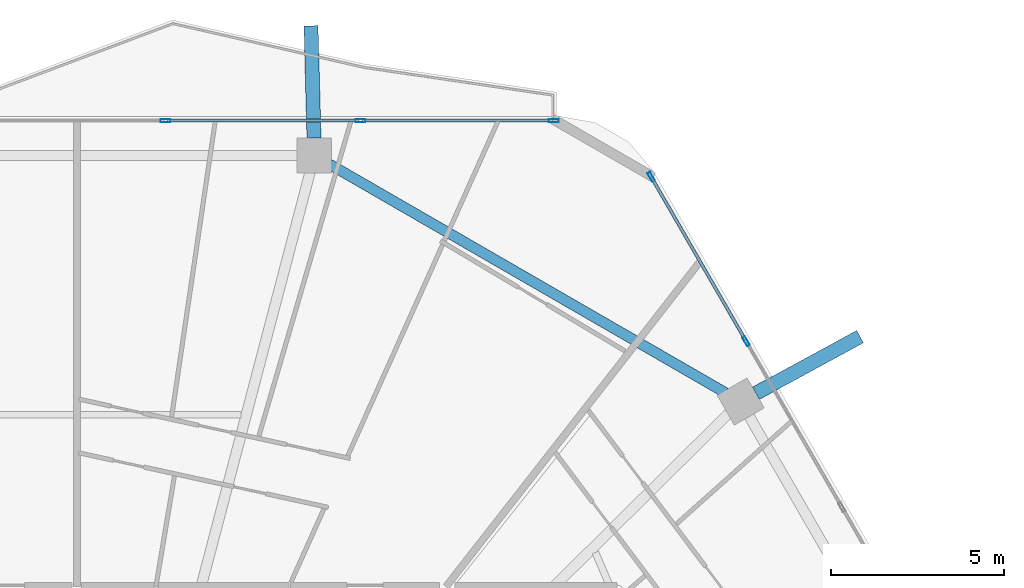
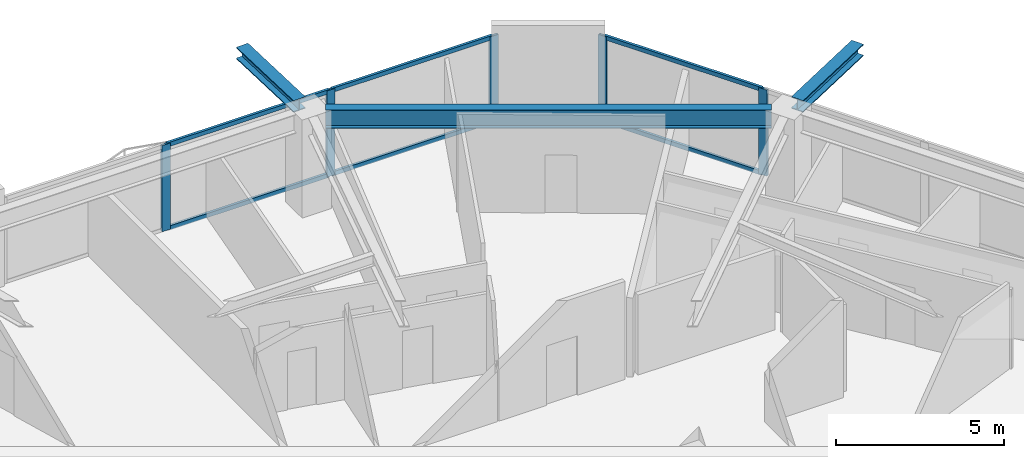
# One storey, part 15 of 25: 11 members, 3 beams, 2 elements without a shape of their own.
"""IFC4 building model written with IfcOpenShell, lengths in metres."""

from ifc_helpers import new_model, si_unit, direction, frame, origin, origin_2d, place, context, subcontext, project, spatial, hollow_rectangle, i_section, extrude, material, material_profile, profile_set, type_object, element, aggregate, save


model = new_model("IFC4")

# Units and contexts
model_context = context("Model", 3, precision=1e-05, world=origin(), true_north=direction((0.0, 1.0)))
body_context = subcontext(model_context, "Body", "Model", "MODEL_VIEW")
ifc_project = project(units=[si_unit("LENGTHUNIT", "METRE"), si_unit("AREAUNIT", "SQUARE_METRE"), si_unit("VOLUMEUNIT", "CUBIC_METRE"), si_unit("PLANEANGLEUNIT", "RADIAN"), si_unit("MASSUNIT", "GRAM", prefix="KILO")], contexts=[model_context])

# Site, building, storey
site_placement = place(None, origin())
site = spatial("IfcSite", under=ifc_project, at=site_placement, CompositionType="ELEMENT")
building_placement = place(site_placement, origin())
building = spatial("IfcBuilding", under=site, at=building_placement, Name="Zuhravey Tower", CompositionType="ELEMENT")
storey_placement = place(building_placement, frame((0.0, 0.0, 150.39990234375)))
storey = spatial("IfcBuildingStorey", under=building, at=storey_placement, Name="L37", CompositionType="ELEMENT", Elevation=150.39990234375)

# Curtain wall, members
ifc_material_1 = material(Name="Thermally broken anodised aluminium", Category="aluminium")
curtain_wall_type = type_object("IfcCurtainWallType", Name="Zone 1-2 Residential Curtain Wall CW3", PredefinedType="NOTDEFINED", material=ifc_material_1)
curtain_wall_1_placement = place(storey_placement, origin())
curtain_wall_1 = element("IfcCurtainWall", 1, at=curtain_wall_1_placement, inside=storey, type_object=curtain_wall_type, Name="L37 CW3 CW-L37-F2-2", PredefinedType="NOTDEFINED")
ifc_material_2 = material(Name="Anodised aluminium", Category="aluminium")
ifc_material_profile_1 = material_profile(ifc_material_2, hollow_rectangle(XDim=0.090087890625, YDim=0.284912109375, WallThickness=0.0048828125, at=origin_2d()), Name="ALU-RHS-90x285x5")
ifc_profile_set_1 = profile_set([ifc_material_profile_1], Name="Anodised aluminium")
member_type_1 = type_object("IfcMemberType", Name="Curtain-Wall Mullion 90x180", PredefinedType="MULLION", material=ifc_profile_set_1)
member_1_placement = place(storey_placement, frame((38.567626953125, 59.18310546875, 0.0), z_axis=(0.0, 0.0, 1.0), x_axis=(0.0, 1.0, 0.0)))
member_1 = element("IfcMember", 2, at=member_1_placement, type_object=member_type_1, Name="CW3 mullion 2", PredefinedType="MULLION", context=body_context, shape_type="SweptSolid", body=[
    extrude(hollow_rectangle(XDim=0.090087890625, YDim=0.284912109375, WallThickness=0.0048828125, at=origin_2d()), origin(), (0.0, 0.0, 1.0), 3.1220703125),
])
member_2_placement = place(storey_placement, frame((44.21435546875, 59.18310546875, 0.0), z_axis=(0.0, 0.0, 1.0), x_axis=(0.0, 1.0, 0.0)))
member_2 = element("IfcMember", 3, at=member_2_placement, type_object=member_type_1, Name="CW3 mullion 3", PredefinedType="MULLION", context=body_context, shape_type="SweptSolid", body=[
    extrude(hollow_rectangle(XDim=0.090087890625, YDim=0.284912109375, WallThickness=0.0048828125, at=origin_2d()), origin(), (0.0, 0.0, 1.0), 3.1220703125),
])
member_3_placement = place(storey_placement, frame((49.816162109375, 59.18310546875, 0.0), z_axis=(0.0, 0.0, 1.0), x_axis=(0.0, 1.0, 0.0)))
member_3 = element("IfcMember", 4, at=member_3_placement, type_object=member_type_1, Name="CW3 mullion 4", PredefinedType="MULLION", context=body_context, shape_type="SweptSolid", body=[
    extrude(hollow_rectangle(XDim=0.090087890625, YDim=0.284912109375, WallThickness=0.0048828125, at=origin_2d()), origin(), (0.0, 0.0, 1.0), 3.1220703125),
])

curtain_wall_2_placement = place(storey_placement, origin())
curtain_wall_2 = element("IfcCurtainWall", 5, at=curtain_wall_2_placement, inside=storey, type_object=curtain_wall_type, Name="L37 CW3 CW-L37-F1-1", PredefinedType="NOTDEFINED")
member_4_placement = place(storey_placement, frame((52.63330078125, 57.556640625, 0.0), z_axis=(0.0, 0.0, 1.0), x_axis=(0.866025138215, 0.500000459979, 0.0)))
member_4 = element("IfcMember", 6, at=member_4_placement, type_object=member_type_1, Name="CW3 mullion 1", PredefinedType="MULLION", context=body_context, shape_type="SweptSolid", body=[
    extrude(hollow_rectangle(XDim=0.090087890625, YDim=0.284912109375, WallThickness=0.0048828125, at=origin_2d()), origin(), (0.0, 0.0, 1.0), 3.1220703125),
])
member_5_placement = place(storey_placement, frame((55.3828125, 52.7939453125, 0.0), z_axis=(0.0, 0.0, 1.0), x_axis=(0.866025138215, 0.500000459979, 0.0)))
member_5 = element("IfcMember", 7, at=member_5_placement, type_object=member_type_1, Name="CW3 mullion 2", PredefinedType="MULLION", context=body_context, shape_type="SweptSolid", body=[
    extrude(hollow_rectangle(XDim=0.090087890625, YDim=0.284912109375, WallThickness=0.0048828125, at=origin_2d()), origin(), (0.0, 0.0, 1.0), 3.1220703125),
])

# Member
ifc_material_profile_2 = material_profile(ifc_material_2, hollow_rectangle(XDim=0.090087890625, YDim=0.14990234375, WallThickness=0.0048828125, at=origin_2d()), Name="ALU-RHS-90x150x5")
ifc_profile_set_2 = profile_set([ifc_material_profile_2], Name="Anodised aluminium")
member_type_2 = type_object("IfcMemberType", Name="Curtain-Wall Transom 90x150", PredefinedType="USERDEFINED", material=ifc_profile_set_2)
member_6_placement = place(storey_placement, frame((38.612548828125, 59.18310546875, 0.045166015625), z_axis=(1.0, 0.0, 0.0), x_axis=(0.0, 1.0, 0.0)))
member_6 = element("IfcMember", 8, at=member_6_placement, type_object=member_type_2, Name="CW3 transom 2.1", ObjectType="TRANSOM", PredefinedType="USERDEFINED", context=body_context, shape_type="SweptSolid", body=[
    extrude(hollow_rectangle(XDim=0.090087890625, YDim=0.14990234375, WallThickness=0.0048828125, at=origin_2d()), origin(), (0.0, 0.0, 1.0), 5.556884765625),
])

member_7_placement = place(storey_placement, frame((38.612548828125, 59.18310546875, 3.0771484375), z_axis=(1.0, 0.0, 0.0), x_axis=(0.0, 1.0, 0.0)))
member_7 = element("IfcMember", 9, at=member_7_placement, type_object=member_type_2, Name="CW3 transom 2.2", ObjectType="TRANSOM", PredefinedType="USERDEFINED", context=body_context, shape_type="SweptSolid", body=[
    extrude(hollow_rectangle(XDim=0.090087890625, YDim=0.14990234375, WallThickness=0.0048828125, at=origin_2d()), origin(), (0.0, 0.0, 1.0), 5.556884765625),
])

member_8_placement = place(storey_placement, frame((44.25927734375, 59.18310546875, 0.045166015625), z_axis=(1.0, 0.0, 0.0), x_axis=(0.0, 1.0, 0.0)))
member_8 = element("IfcMember", 10, at=member_8_placement, type_object=member_type_2, Name="CW3 transom 3.1", ObjectType="TRANSOM", PredefinedType="USERDEFINED", context=body_context, shape_type="SweptSolid", body=[
    extrude(hollow_rectangle(XDim=0.090087890625, YDim=0.14990234375, WallThickness=0.0048828125, at=origin_2d()), origin(), (0.0, 0.0, 1.0), 5.51171875),
])

member_9_placement = place(storey_placement, frame((44.25927734375, 59.18310546875, 3.0771484375), z_axis=(1.0, 0.0, 0.0), x_axis=(0.0, 1.0, 0.0)))
member_9 = element("IfcMember", 11, at=member_9_placement, type_object=member_type_2, Name="CW3 transom 3.2", ObjectType="TRANSOM", PredefinedType="USERDEFINED", context=body_context, shape_type="SweptSolid", body=[
    extrude(hollow_rectangle(XDim=0.090087890625, YDim=0.14990234375, WallThickness=0.0048828125, at=origin_2d()), origin(), (0.0, 0.0, 1.0), 5.51171875),
])

aggregate(curtain_wall_1, [member_1, member_2, member_3, member_6, member_7, member_8, member_9])

member_10_placement = place(storey_placement, frame((52.65576171875, 57.517578125, 0.045166015625), z_axis=(0.499993332629, -0.866029253159, 0.0), x_axis=(0.866029253159, 0.499993332629, 0.0)))
member_10 = element("IfcMember", 12, at=member_10_placement, type_object=member_type_2, Name="CW3 transom 1.1", ObjectType="TRANSOM", PredefinedType="USERDEFINED", context=body_context, shape_type="SweptSolid", body=[
    extrude(hollow_rectangle(XDim=0.090087890625, YDim=0.14990234375, WallThickness=0.0048828125, at=origin_2d()), origin(), (0.0, 0.0, 1.0), 5.4091796875),
])

member_11_placement = place(storey_placement, frame((52.65576171875, 57.517578125, 3.0771484375), z_axis=(0.499993332629, -0.866029253159, 0.0), x_axis=(0.866029253159, 0.499993332629, 0.0)))
member_11 = element("IfcMember", 13, at=member_11_placement, type_object=member_type_2, Name="CW3 transom 1.2", ObjectType="TRANSOM", PredefinedType="USERDEFINED", context=body_context, shape_type="SweptSolid", body=[
    extrude(hollow_rectangle(XDim=0.090087890625, YDim=0.14990234375, WallThickness=0.0048828125, at=origin_2d()), origin(), (0.0, 0.0, 1.0), 5.4091796875),
])

aggregate(curtain_wall_2, [member_4, member_5, member_10, member_11])

# Beams
ifc_material_3 = material(Name="Steel SM460", Category="steel")
ifc_material_profile_3 = material_profile(ifc_material_3, i_section(OverallWidth=0.406982421875, OverallDepth=0.427978515625, WebThickness=0.02001953125, FlangeThickness=0.034912109375, at=origin_2d()), Name="H-428x407x20x35")
ifc_profile_set_3 = profile_set([ifc_material_profile_3], Name="Steel SM460")
beam_type_1 = type_object("IfcBeamType", Name="Exoskeleton Node Tie Beam H428x407", PredefinedType="BEAM", material=ifc_profile_set_3)
beam_1_placement = place(storey_placement, frame((55.66845703125, 51.287353515625, 3.336181640625), z_axis=(0.878549889521, 0.477650595752, 0.0), x_axis=(-0.477650595752, 0.878549889521, 0.0)))
element("IfcBeam", 14, at=beam_1_placement, inside=storey, type_object=beam_type_1, Name="L37 Exoskeleton Node Tie NT1-02", PredefinedType="BEAM", context=body_context, shape_type="SweptSolid", body=[
    extrude(i_section(OverallWidth=0.406982421875, OverallDepth=0.427978515625, WebThickness=0.02001953125, FlangeThickness=0.034912109375, at=origin_2d()), origin(), (0.0, 0.0, 1.0), 3.43212890625),
])
beam_2_placement = place(storey_placement, frame((42.868408203125, 58.677001953125, 3.336181640625), z_axis=(-0.02672320059, 0.999642871505, 0.0), x_axis=(-0.999642871505, -0.02672320059, 0.0)))
element("IfcBeam", 15, at=beam_2_placement, inside=storey, type_object=beam_type_1, Name="L37 Exoskeleton Node Tie NT1-03", PredefinedType="BEAM", context=body_context, shape_type="SweptSolid", body=[
    extrude(i_section(OverallWidth=0.406982421875, OverallDepth=0.427978515625, WebThickness=0.02001953125, FlangeThickness=0.034912109375, at=origin_2d()), origin(), (0.0, 0.0, 1.0), 3.25244140625),
])
ifc_material_4 = material(Name="Steel SM355", Category="steel")
ifc_material_profile_4 = material_profile(ifc_material_4, i_section(OverallWidth=0.300048828125, OverallDepth=0.679931640625, WebThickness=0.012939453125, FlangeThickness=0.02197265625, at=origin_2d()), Name="H-680x300x13x22")
ifc_profile_set_4 = profile_set([ifc_material_profile_4], Name="Steel SM355")
beam_type_2 = type_object("IfcBeamType", Name="Perimeter Ring Beam H680x300", PredefinedType="BEAM", material=ifc_profile_set_4)
beam_3_placement = place(storey_placement, frame((54.789794921875, 51.298095703125, 3.210205078125), z_axis=(-0.866022923061, 0.500004296715, 0.0), x_axis=(-0.500004296715, -0.866022923061, 0.0)))
element("IfcBeam", 16, at=beam_3_placement, inside=storey, type_object=beam_type_2, Name="L37 PB2 BM-L37-PB-02", PredefinedType="BEAM", context=body_context, shape_type="SweptSolid", body=[
    extrude(i_section(OverallWidth=0.300048828125, OverallDepth=0.679931640625, WebThickness=0.012939453125, FlangeThickness=0.02197265625, at=origin_2d()), origin(), (0.0, 0.0, 1.0), 13.2470703125),
])

save(model, "model.ifc")
